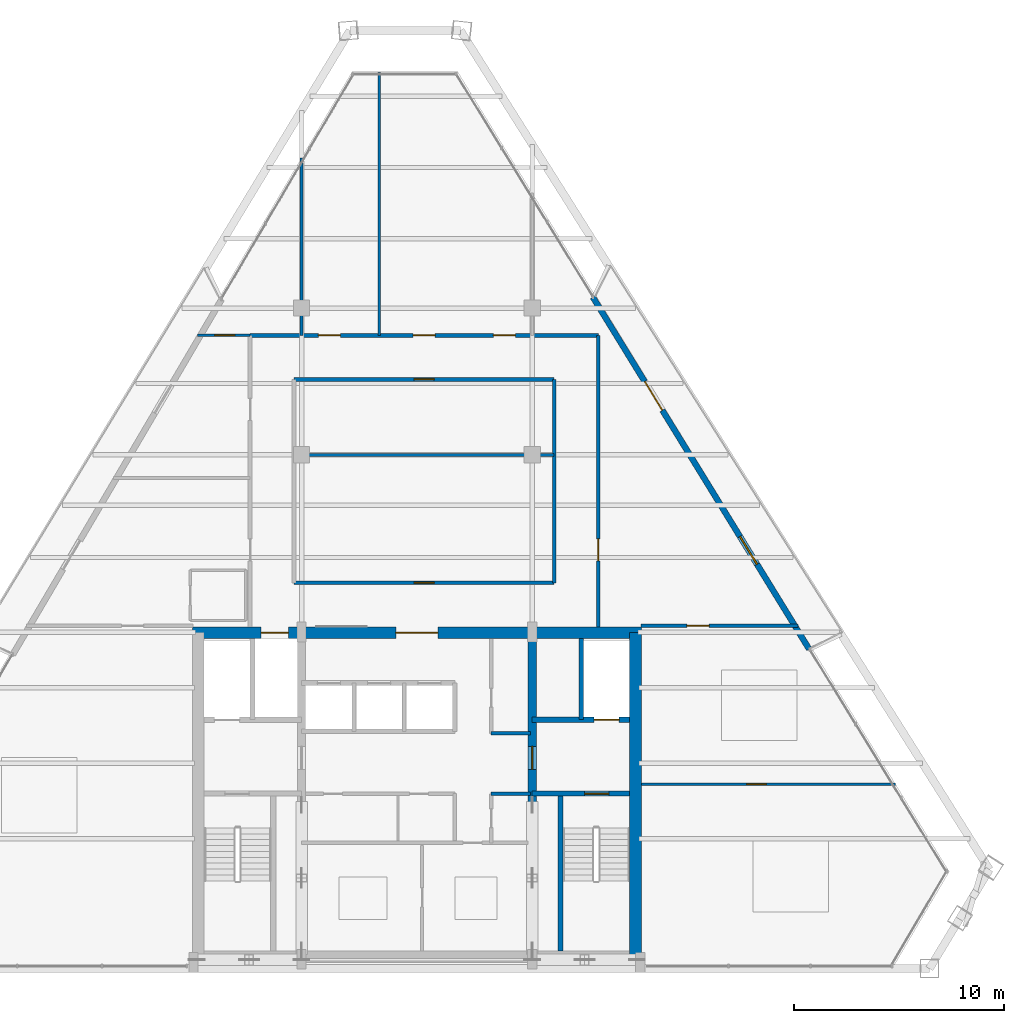
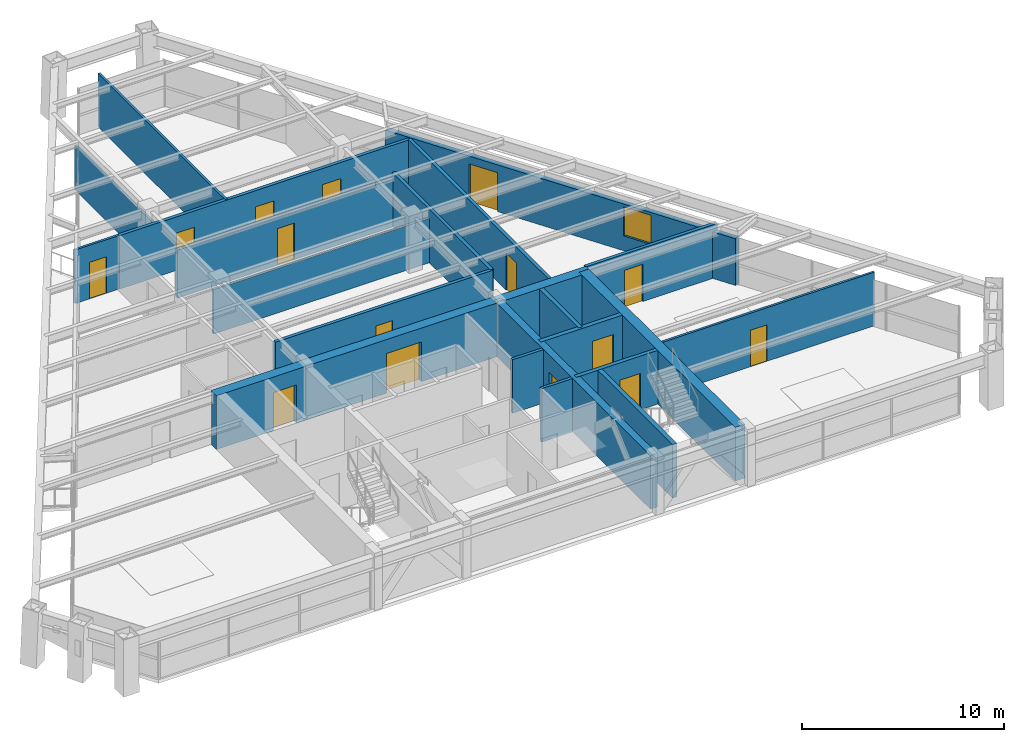
# One storey, part 10 of 13: 21 walls, 15 doors, 1 window, 16 openings.
"""IFC4 building model written with IfcOpenShell, lengths in metres."""

from ifc_helpers import new_model, si_unit, direction, frame, frame_2d, origin, place, context, subcontext, project, spatial, rectangle, extrude, source, transform, mapped, material, layer, layer_set, type_object, type_shapes, element, fill, save


model = new_model("IFC4")

# Units and contexts
model_context = context("Model", 3, precision=1e-05, world=origin(), true_north=direction((0.0, 1.0)))
body_context = subcontext(model_context, "Body", "Model", "MODEL_VIEW")
ifc_project = project(units=[si_unit("LENGTHUNIT", "METRE"), si_unit("AREAUNIT", "SQUARE_METRE"), si_unit("VOLUMEUNIT", "CUBIC_METRE"), si_unit("PLANEANGLEUNIT", "RADIAN"), si_unit("MASSUNIT", "GRAM", prefix="KILO")], contexts=[model_context])

# Site, building, storey
site_placement = place(None, origin())
site = spatial("IfcSite", under=ifc_project, at=site_placement, CompositionType="ELEMENT")
building_placement = place(site_placement, origin())
building = spatial("IfcBuilding", under=site, at=building_placement, Name="Varnakhor Terracotta Tower", CompositionType="ELEMENT")
storey_placement = place(building_placement, frame((0.0, 0.0, 244.14990234375)))
storey = spatial("IfcBuildingStorey", under=building, at=storey_placement, Name="L63", CompositionType="ELEMENT", Elevation=244.14990234375)

# Wall, openings, doors
ifc_material_1 = material(Name="Concrete C50/60", Category="concrete")
ifc_layer_1 = layer(ifc_material_1, 0.550048828125, Name="Concrete C50/60")
ifc_layer_set_1 = layer_set([ifc_layer_1], Name="Concrete C50/60")
wall_type_1 = type_object("IfcWallType", Name="WAL-CORE-550", PredefinedType="SHEAR", material=ifc_layer_set_1)
wall_1_placement = place(storey_placement, frame((-10.699951171875, 16.02490234375, 0.0), z_axis=(0.0, 0.0, 1.0), x_axis=(1.0, 0.0, 0.0)))
wall_1 = element("IfcWall", 1, at=wall_1_placement, inside=storey, type_object=wall_type_1, Name="L63 North Core Shear Wall", PredefinedType="SHEAR", context=body_context, shape_type="SweptSolid", body=[
    extrude(rectangle(XDim=21.39990234375, YDim=0.550048828125, at=frame_2d((10.699951171875, 0.0))), origin(), (0.0, 0.0, 1.0), 3.239990234375),
])
opening_1_placement = place(wall_1_placement, frame((3.27001953125, 0.0, 0.0)))
opening_1 = element("IfcOpeningElement", 2, at=opening_1_placement, cuts=wall_1, Name="Opening LD-03", PredefinedType="OPENING", context=body_context, shape_type="SweptSolid", body=[
    extrude(rectangle(XDim=1.300048828125, YDim=2.300048828125, at=frame_2d((0.64990234375, 1.14990234375))), frame((0.0, 0.28515625, 0.0), z_axis=(0.0, -1.0, 0.0), x_axis=(1.0, 0.0, 0.0)), (0.0, 0.0, 1.0), 0.570068359375),
])
opening_2_placement = place(wall_1_placement, frame((9.699951171875, 0.0, 0.0)))
opening_2 = element("IfcOpeningElement", 3, at=opening_2_placement, cuts=wall_1, Name="Opening DR-32", PredefinedType="OPENING", context=body_context, shape_type="SweptSolid", body=[
    extrude(rectangle(XDim=2.0, YDim=2.39990234375, at=frame_2d((1.0, 1.199951171875))), frame((0.0, 0.28515625, 0.0), z_axis=(0.0, -1.0, 0.0), x_axis=(1.0, 0.0, 0.0)), (0.0, 0.0, 1.0), 0.570068359375),
])
ifc_material_2 = material(Name="Heavy-Duty Goods Sliding Lift Landing Door", Category="steel")
door_type_1 = type_object("IfcDoorType", Name="LD-SRV-1300X2300", OperationType="NOTDEFINED", PredefinedType="DOOR", material=ifc_material_2)
shared_shape_1 = source(origin(), body_context, "Body", "SweptSolid", [
    extrude(rectangle(XDim=1.300048828125, YDim=2.300048828125, at=frame_2d((0.64990234375, 1.14990234375))), frame((0.0, 0.02490234375, 0.0), z_axis=(0.0, -1.0, 0.0), x_axis=(1.0, 0.0, 0.0)), (0.0, 0.0, 1.0), 0.050048828125),
])
type_shapes(door_type_1, [shared_shape_1])
door_1_placement = place(opening_1_placement, origin())
door_1 = element("IfcDoor", 4, at=door_1_placement, inside=storey, type_object=door_type_1, Name="L63 Service Lift SVL-1 Landing Door", OperationType="SLIDING_TO_RIGHT", OverallHeight=2.300048828125, OverallWidth=1.300048828125, PredefinedType="DOOR", context=body_context, shape_type="MappedRepresentation", body=[
    mapped(shared_shape_1, transform((0.0, 0.0, 0.0), scale=1.0)),
])
fill(opening_1, door_1)
ifc_material_3 = material(Name="Acoustic Double Assembly Fire Door", Category="wood")
door_type_2 = type_object("IfcDoorType", Name="DR-HALL-2000X2400", OperationType="NOTDEFINED", PredefinedType="DOOR", material=ifc_material_3)
shared_shape_2 = source(origin(), body_context, "Body", "SweptSolid", [
    extrude(rectangle(XDim=2.0, YDim=2.39990234375, at=frame_2d((1.0, 1.199951171875))), frame((0.0, 0.02490234375, 0.0), z_axis=(0.0, -1.0, 0.0), x_axis=(1.0, 0.0, 0.0)), (0.0, 0.0, 1.0), 0.050048828125),
])
type_shapes(door_type_2, [shared_shape_2])
door_2_placement = place(opening_2_placement, origin())
door_2 = element("IfcDoor", 5, at=door_2_placement, inside=storey, type_object=door_type_2, Name="L63 Core Main Lobby Double Door", OperationType="DOUBLE_DOOR_SINGLE_SWING", OverallHeight=2.39990234375, OverallWidth=2.0, PredefinedType="DOOR", context=body_context, shape_type="MappedRepresentation", body=[
    mapped(shared_shape_2, transform((0.0, 0.0, 0.0), scale=1.0)),
])
fill(opening_2, door_2)

# Wall
wall_2_placement = place(storey_placement, frame((10.425048828125, 0.574951171875, 0.0), z_axis=(0.0, 0.0, 1.0), x_axis=(0.0, 1.0, 0.0)))
element("IfcWall", 6, at=wall_2_placement, inside=storey, type_object=wall_type_1, Name="L63 East Core Shear Wall", PredefinedType="SHEAR", context=body_context, shape_type="SweptSolid", body=[
    extrude(rectangle(XDim=15.449951171875, YDim=0.550048828125, at=frame_2d((7.72509765625, 0.0))), origin(), (0.0, 0.0, 1.0), 3.239990234375),
])

# Wall, opening, door
ifc_layer_2 = layer(ifc_material_1, 0.39990234375, Name="Concrete C50/60")
ifc_layer_set_2 = layer_set([ifc_layer_2], Name="Concrete C50/60")
wall_type_2 = type_object("IfcWallType", Name="WAL-CORE-WEB-400", PredefinedType="SHEAR", material=ifc_layer_set_2)
wall_3_placement = place(storey_placement, frame((5.5, 0.574951171875, 0.0), z_axis=(0.0, 0.0, 1.0), x_axis=(0.0, 1.0, 0.0)))
wall_3 = element("IfcWall", 7, at=wall_3_placement, inside=storey, type_object=wall_type_2, Name="L63 East Core Web Shear Wall", PredefinedType="SHEAR", context=body_context, shape_type="SweptSolid", body=[
    extrude(rectangle(XDim=15.449951171875, YDim=0.39990234375, at=frame_2d((7.72509765625, 0.0))), origin(), (0.0, 0.0, 1.0), 3.239990234375),
])
opening_3_placement = place(wall_3_placement, frame((8.925048828125, 0.0, 0.0)))
opening_3 = element("IfcOpeningElement", 8, at=opening_3_placement, cuts=wall_3, Name="Opening DR-25", PredefinedType="OPENING", context=body_context, shape_type="SweptSolid", body=[
    extrude(rectangle(XDim=1.10009765625, YDim=2.199951171875, at=frame_2d((0.550048828125, 1.10009765625))), frame((0.0, 0.2099609375, 0.0), z_axis=(0.0, -1.0, 0.0), x_axis=(1.0, 0.0, 0.0)), (0.0, 0.0, 1.0), 0.419921875),
])
ifc_material_4 = material(Name="Firefighting Lobby Self-Closing Fire Door", Category="steel")
door_type_3 = type_object("IfcDoorType", Name="DR-FFL-1100X2200", OperationType="NOTDEFINED", PredefinedType="DOOR", material=ifc_material_4)
shared_shape_3 = source(origin(), body_context, "Body", "SweptSolid", [
    extrude(rectangle(XDim=1.10009765625, YDim=2.199951171875, at=frame_2d((0.550048828125, 1.10009765625))), frame((0.0, 0.02490234375, 0.0), z_axis=(0.0, -1.0, 0.0), x_axis=(1.0, 0.0, 0.0)), (0.0, 0.0, 1.0), 0.050048828125),
])
type_shapes(door_type_3, [shared_shape_3])
door_3_placement = place(opening_3_placement, origin())
door_3 = element("IfcDoor", 9, at=door_3_placement, inside=storey, type_object=door_type_3, Name="L63 East Firefighting Lobby Door", OperationType="SINGLE_SWING_LEFT", OverallHeight=2.199951171875, OverallWidth=1.10009765625, PredefinedType="DOOR", context=body_context, shape_type="MappedRepresentation", body=[
    mapped(shared_shape_3, transform((0.0, 0.0, 0.0), scale=1.0)),
])
fill(opening_3, door_3)

ifc_material_5 = material(Name="Fire-Rated Gypsum Stud Partition", Category="gypsum")
ifc_layer_3 = layer(ifc_material_5, 0.18505859375, Name="Fire-Rated Gypsum Stud Partition")
ifc_layer_set_3 = layer_set([ifc_layer_3], Name="Fire-Rated Gypsum Stud Partition")
wall_type_3 = type_object("IfcWallType", Name="WAL-CORR-185", PredefinedType="PARTITIONING", material=ifc_layer_set_3)
wall_4_placement = place(storey_placement, frame((-5.85009765625, 18.39990234375, 0.0), z_axis=(0.0, 0.0, 1.0), x_axis=(1.0, 0.0, 0.0)))
wall_4 = element("IfcWall", 10, at=wall_4_placement, inside=storey, type_object=wall_type_3, Name="L63 Ring Inner South Wall", PredefinedType="PARTITIONING", context=body_context, shape_type="SweptSolid", body=[
    extrude(rectangle(XDim=12.400146484375, YDim=0.18505859375, at=frame_2d((6.2001953125, 0.0))), origin(), (0.0, 0.0, 1.0), 3.232177734375),
])
opening_4_placement = place(wall_4_placement, frame((5.72509765625, 0.0, 0.0)))
opening_4 = element("IfcOpeningElement", 11, at=opening_4_placement, cuts=wall_4, Name="Opening DR-94", PredefinedType="OPENING", context=body_context, shape_type="SweptSolid", body=[
    extrude(rectangle(XDim=0.949951171875, YDim=2.199951171875, at=frame_2d((0.47509765625, 1.10009765625))), frame((0.0, 0.1025390625, 0.0), z_axis=(0.0, -1.0, 0.0), x_axis=(1.0, 0.0, 0.0)), (0.0, 0.0, 1.0), 0.205078125),
])
ifc_material_6 = material(Name="Acoustic Glazed-Vision Timber Office Door", Category="wood")
door_type_4 = type_object("IfcDoorType", Name="DR-OFF-950X2200", OperationType="NOTDEFINED", PredefinedType="DOOR", material=ifc_material_6)
shared_shape_4 = source(origin(), body_context, "Body", "SweptSolid", [
    extrude(rectangle(XDim=0.949951171875, YDim=2.199951171875, at=frame_2d((0.47509765625, 1.10009765625))), frame((0.0, 0.02490234375, 0.0), z_axis=(0.0, -1.0, 0.0), x_axis=(1.0, 0.0, 0.0)), (0.0, 0.0, 1.0), 0.050048828125),
])
type_shapes(door_type_4, [shared_shape_4])
door_4_placement = place(opening_4_placement, origin())
door_4 = element("IfcDoor", 12, at=door_4_placement, inside=storey, type_object=door_type_4, Name="L63 Housekeeping Station Door", OperationType="SINGLE_SWING_RIGHT", OverallHeight=2.199951171875, OverallWidth=0.949951171875, PredefinedType="DOOR", context=body_context, shape_type="MappedRepresentation", body=[
    mapped(shared_shape_4, transform((0.0, 0.0, 0.0), scale=1.0)),
])
fill(opening_4, door_4)

wall_5_placement = place(storey_placement, frame((-5.85009765625, 28.10009765625, 0.0), z_axis=(0.0, 0.0, 1.0), x_axis=(1.0, 0.0, 0.0)))
wall_5 = element("IfcWall", 13, at=wall_5_placement, inside=storey, type_object=wall_type_3, Name="L63 Ring Inner North Wall", PredefinedType="PARTITIONING", context=body_context, shape_type="SweptSolid", body=[
    extrude(rectangle(XDim=12.400146484375, YDim=0.18505859375, at=frame_2d((6.2001953125, 0.0))), origin(), (0.0, 0.0, 1.0), 2.885009765625),
])
opening_5_placement = place(wall_5_placement, frame((5.72509765625, 0.0, 0.0)))
opening_5 = element("IfcOpeningElement", 14, at=opening_5_placement, cuts=wall_5, Name="Opening DR-94", PredefinedType="OPENING", context=body_context, shape_type="SweptSolid", body=[
    extrude(rectangle(XDim=0.949951171875, YDim=2.199951171875, at=frame_2d((0.47509765625, 1.10009765625))), frame((0.0, 0.1025390625, 0.0), z_axis=(0.0, -1.0, 0.0), x_axis=(1.0, 0.0, 0.0)), (0.0, 0.0, 1.0), 0.205078125),
])
door_5_placement = place(opening_5_placement, origin())
door_5 = element("IfcDoor", 15, at=door_5_placement, inside=storey, type_object=door_type_4, Name="L63 Inner Service Door", OperationType="SINGLE_SWING_LEFT", OverallHeight=2.199951171875, OverallWidth=0.949951171875, PredefinedType="DOOR", context=body_context, shape_type="MappedRepresentation", body=[
    mapped(shared_shape_4, transform((0.0, 0.0, 0.0), scale=1.0)),
])
fill(opening_5, door_5)

# Wall
wall_6_placement = place(storey_placement, frame((6.550048828125, 18.39990234375, 0.0), z_axis=(0.0, 0.0, 1.0), x_axis=(0.0, 1.0, 0.0)))
element("IfcWall", 16, at=wall_6_placement, inside=storey, type_object=wall_type_3, Name="L63 Ring Inner East Wall", PredefinedType="PARTITIONING", context=body_context, shape_type="SweptSolid", body=[
    extrude(rectangle(XDim=9.7001953125, YDim=0.18505859375, at=frame_2d((4.85009765625, 0.0))), origin(), (0.0, 0.0, 1.0), 3.232177734375),
])

# Wall, opening, door
wall_7_placement = place(storey_placement, frame((8.64990234375, 16.300048828125, 0.0), z_axis=(0.0, 0.0, 1.0), x_axis=(0.0, 1.0, 0.0)))
wall_7 = element("IfcWall", 17, at=wall_7_placement, inside=storey, type_object=wall_type_3, Name="L63 Hotel East Corridor Wall", PredefinedType="PARTITIONING", context=body_context, shape_type="SweptSolid", body=[
    extrude(rectangle(XDim=13.89990234375, YDim=0.18505859375, at=frame_2d((6.949951171875, 0.0))), origin(), (0.0, 0.0, 1.0), 3.232177734375),
])
opening_6_placement = place(wall_7_placement, frame((3.143798828125, 0.0, 0.0)))
opening_6 = element("IfcOpeningElement", 18, at=opening_6_placement, cuts=wall_7, Name="Opening DR-95", PredefinedType="OPENING", context=body_context, shape_type="SweptSolid", body=[
    extrude(rectangle(XDim=1.050048828125, YDim=2.25, at=frame_2d((0.52490234375, 1.125))), frame((0.0, 0.1025390625, 0.0), z_axis=(0.0, -1.0, 0.0), x_axis=(1.0, 0.0, 0.0)), (0.0, 0.0, 1.0), 0.205078125),
])
ifc_material_7 = material(Name="Solid-Core Timber Tenant/Hotel Entrance Door", Category="wood")
door_type_5 = type_object("IfcDoorType", Name="DR-SUITE-1050X2250", OperationType="NOTDEFINED", PredefinedType="DOOR", material=ifc_material_7)
shared_shape_5 = source(origin(), body_context, "Body", "SweptSolid", [
    extrude(rectangle(XDim=1.050048828125, YDim=2.25, at=frame_2d((0.52490234375, 1.125))), frame((0.0, 0.02490234375, 0.0), z_axis=(0.0, -1.0, 0.0), x_axis=(1.0, 0.0, 0.0)), (0.0, 0.0, 1.0), 0.050048828125),
])
type_shapes(door_type_5, [shared_shape_5])
door_6_placement = place(opening_6_placement, origin())
door_6 = element("IfcDoor", 19, at=door_6_placement, inside=storey, type_object=door_type_5, Name="L63 East Room 1 Entry Door", OperationType="SINGLE_SWING_RIGHT", OverallHeight=2.25, OverallWidth=1.050048828125, PredefinedType="DOOR", context=body_context, shape_type="MappedRepresentation", body=[
    mapped(shared_shape_5, transform((0.0, 0.0, 0.0), scale=1.0)),
])
fill(opening_6, door_6)

# Wall, openings, doors
wall_8_placement = place(storey_placement, frame((-7.949951171875, 30.199951171875, 0.0), z_axis=(0.0, 0.0, 1.0), x_axis=(1.0, 0.0, 0.0)))
wall_8 = element("IfcWall", 20, at=wall_8_placement, inside=storey, type_object=wall_type_3, Name="L63 Hotel North Corridor Wall", PredefinedType="PARTITIONING", context=body_context, shape_type="SweptSolid", body=[
    extrude(rectangle(XDim=16.599853515625, YDim=0.18505859375, at=frame_2d((8.2998046875, 0.0))), origin(), (0.0, 0.0, 1.0), 3.232177734375),
])
opening_7_placement = place(wall_8_placement, frame((3.25, 0.0, 0.0)))
opening_7 = element("IfcOpeningElement", 21, at=opening_7_placement, cuts=wall_8, Name="Opening DR-95", PredefinedType="OPENING", context=body_context, shape_type="SweptSolid", body=[
    extrude(rectangle(XDim=1.050048828125, YDim=2.25, at=frame_2d((0.52490234375, 1.125))), frame((0.0, 0.1025390625, 0.0), z_axis=(0.0, -1.0, 0.0), x_axis=(1.0, 0.0, 0.0)), (0.0, 0.0, 1.0), 0.205078125),
])
opening_8_placement = place(wall_8_placement, frame((7.77490234375, 0.0, 0.0)))
opening_8 = element("IfcOpeningElement", 22, at=opening_8_placement, cuts=wall_8, Name="Opening DR-95", PredefinedType="OPENING", context=body_context, shape_type="SweptSolid", body=[
    extrude(rectangle(XDim=1.050048828125, YDim=2.25, at=frame_2d((0.52490234375, 1.125))), frame((0.0, 0.1025390625, 0.0), z_axis=(0.0, -1.0, 0.0), x_axis=(1.0, 0.0, 0.0)), (0.0, 0.0, 1.0), 0.205078125),
])
opening_9_placement = place(wall_8_placement, frame((11.60009765625, 0.0, 0.0)))
opening_9 = element("IfcOpeningElement", 23, at=opening_9_placement, cuts=wall_8, Name="Opening DR-95", PredefinedType="OPENING", context=body_context, shape_type="SweptSolid", body=[
    extrude(rectangle(XDim=1.050048828125, YDim=2.25, at=frame_2d((0.52490234375, 1.125))), frame((0.0, 0.1025390625, 0.0), z_axis=(0.0, -1.0, 0.0), x_axis=(1.0, 0.0, 0.0)), (0.0, 0.0, 1.0), 0.205078125),
])
door_7_placement = place(opening_7_placement, origin())
door_7 = element("IfcDoor", 24, at=door_7_placement, inside=storey, type_object=door_type_5, Name="L63 North Suite 1 Entry Door", OperationType="SINGLE_SWING_LEFT", OverallHeight=2.25, OverallWidth=1.050048828125, PredefinedType="DOOR", context=body_context, shape_type="MappedRepresentation", body=[
    mapped(shared_shape_5, transform((0.0, 0.0, 0.0), scale=1.0)),
])
fill(opening_7, door_7)
door_8_placement = place(opening_8_placement, origin())
door_8 = element("IfcDoor", 25, at=door_8_placement, inside=storey, type_object=door_type_5, Name="L63 North Suite 2 Entry Door", OperationType="SINGLE_SWING_RIGHT", OverallHeight=2.25, OverallWidth=1.050048828125, PredefinedType="DOOR", context=body_context, shape_type="MappedRepresentation", body=[
    mapped(shared_shape_5, transform((0.0, 0.0, 0.0), scale=1.0)),
])
fill(opening_8, door_8)
door_9_placement = place(opening_9_placement, origin())
door_9 = element("IfcDoor", 26, at=door_9_placement, inside=storey, type_object=door_type_5, Name="L63 North Suite 3 Entry Door", OperationType="SINGLE_SWING_LEFT", OverallHeight=2.25, OverallWidth=1.050048828125, PredefinedType="DOOR", context=body_context, shape_type="MappedRepresentation", body=[
    mapped(shared_shape_5, transform((0.0, 0.0, 0.0), scale=1.0)),
])
fill(opening_9, door_9)

# Wall, opening, door
wall_9_placement = place(storey_placement, frame((10.679931640625, 16.35009765625, 0.0), z_axis=(0.0, 0.0, 1.0), x_axis=(1.0, 0.0, 0.0)))
wall_9 = element("IfcWall", 27, at=wall_9_placement, inside=storey, type_object=wall_type_3, Name="L63 South East Guest Entry Wall", PredefinedType="PARTITIONING", context=body_context, shape_type="SweptSolid", body=[
    extrude(rectangle(XDim=7.49462890625, YDim=0.18505859375, at=frame_2d((3.747314453125, 0.0))), origin(), (0.0, 0.0, 1.0), 3.232177734375),
])
opening_10_placement = place(wall_9_placement, frame((2.2001953125, 0.0, 0.0)))
opening_10 = element("IfcOpeningElement", 28, at=opening_10_placement, cuts=wall_9, Name="Opening DR-95", PredefinedType="OPENING", context=body_context, shape_type="SweptSolid", body=[
    extrude(rectangle(XDim=1.050048828125, YDim=2.25, at=frame_2d((0.52490234375, 1.125))), frame((0.0, 0.1025390625, 0.0), z_axis=(0.0, -1.0, 0.0), x_axis=(1.0, 0.0, 0.0)), (0.0, 0.0, 1.0), 0.205078125),
])
door_10_placement = place(opening_10_placement, origin())
door_10 = element("IfcDoor", 29, at=door_10_placement, inside=storey, type_object=door_type_5, Name="L63 SE Suite Entry Door", OperationType="SINGLE_SWING_LEFT", OverallHeight=2.25, OverallWidth=1.050048828125, PredefinedType="DOOR", context=body_context, shape_type="MappedRepresentation", body=[
    mapped(shared_shape_5, transform((0.0, 0.0, 0.0), scale=1.0)),
])
fill(opening_10, door_10)

# Wall, openings, door, window
ifc_material_8 = material(Name="Extruded Architectural Terracotta Assembly", Category="masonry")
ifc_layer_4 = layer(ifc_material_8, 0.280029296875, Name="Extruded Architectural Terracotta Assembly")
ifc_layer_set_4 = layer_set([ifc_layer_4], Name="Extruded Architectural Terracotta Assembly")
wall_type_4 = type_object("IfcWallType", Name="WAL-EXT-TERRACOTTA-280", PredefinedType="SOLIDWALL", material=ifc_layer_set_4)
wall_10_placement = place(storey_placement, frame((8.394287109375, 32.01708984375, 0.0), z_axis=(0.0, 0.0, 1.0), x_axis=(0.523559364354, -0.851989197113, 0.0)))
wall_10 = element("IfcWall", 30, at=wall_10_placement, inside=storey, type_object=wall_type_4, Name="L63 E Loggia Insulated Terracotta Wall", PredefinedType="SOLIDWALL", context=body_context, shape_type="SweptSolid", body=[
    extrude(rectangle(XDim=19.69970703125, YDim=0.280029296875, at=frame_2d((9.849853515625, 0.0))), origin(), (0.0, 0.0, 1.0), 2.820068359375),
])
opening_11_placement = place(wall_10_placement, frame((4.727783203125, 0.0, 0.0)))
opening_11 = element("IfcOpeningElement", 31, at=opening_11_placement, cuts=wall_10, Name="Opening DR-62", PredefinedType="OPENING", context=body_context, shape_type="SweptSolid", body=[
    extrude(rectangle(XDim=1.60009765625, YDim=2.35009765625, at=frame_2d((0.800048828125, 1.175048828125))), frame((0.0, 0.14990234375, 0.0), z_axis=(0.0, -1.0, 0.0), x_axis=(1.0, 0.0, 0.0)), (0.0, 0.0, 1.0), 0.300048828125),
])
opening_12_placement = place(wall_10_placement, frame((13.395751953125, 0.0, 0.89990234375)))
opening_12 = element("IfcOpeningElement", 32, at=opening_12_placement, cuts=wall_10, Name="Opening WN-59", PredefinedType="OPENING", context=body_context, shape_type="SweptSolid", body=[
    extrude(rectangle(XDim=1.550048828125, YDim=1.75, at=frame_2d((0.77490234375, 0.875))), frame((0.0, 0.14990234375, 0.0), z_axis=(0.0, -1.0, 0.0), x_axis=(1.0, 0.0, 0.0)), (0.0, 0.0, 1.0), 0.300048828125),
])
ifc_material_9 = material(Name="Thermally Broken Sliding Glass Loggia Door", Category="glass")
door_type_6 = type_object("IfcDoorType", Name="DR-EXT-LOGGIA-1600X2350", OperationType="NOTDEFINED", PredefinedType="DOOR", material=ifc_material_9)
shared_shape_6 = source(origin(), body_context, "Body", "SweptSolid", [
    extrude(rectangle(XDim=1.60009765625, YDim=2.35009765625, at=frame_2d((0.800048828125, 1.175048828125))), frame((0.0, 0.02490234375, 0.0), z_axis=(0.0, -1.0, 0.0), x_axis=(1.0, 0.0, 0.0)), (0.0, 0.0, 1.0), 0.050048828125),
])
type_shapes(door_type_6, [shared_shape_6])
door_11_placement = place(opening_11_placement, origin())
door_11 = element("IfcDoor", 33, at=door_11_placement, inside=storey, type_object=door_type_6, Name="L63 E Recessed Loggia Sliding Door", OperationType="SLIDING_TO_RIGHT", OverallHeight=2.35009765625, OverallWidth=1.60009765625, PredefinedType="DOOR", context=body_context, shape_type="MappedRepresentation", body=[
    mapped(shared_shape_6, transform((0.0, 0.0, 0.0), scale=1.0)),
])
fill(opening_11, door_11)
ifc_material_10 = material(Name="Solar-Control Low-E Insulated Glass Unit", Category="glass")
window_type = type_object("IfcWindowType", Name="WIN-HTL-1500X1950", PartitioningType="SINGLE_PANEL", PredefinedType="WINDOW", material=ifc_material_10)
shared_shape_7 = source(origin(), body_context, "Body", "SweptSolid", [
    extrude(rectangle(XDim=1.550048828125, YDim=1.75, at=frame_2d((0.77490234375, 0.875))), frame((0.0, 0.030029296875, 0.0), z_axis=(0.0, -1.0, 0.0), x_axis=(1.0, 0.0, 0.0)), (0.0, 0.0, 1.0), 0.06005859375),
])
type_shapes(window_type, [shared_shape_7])
window_placement = place(opening_12_placement, origin())
window = element("IfcWindow", 34, at=window_placement, inside=storey, type_object=window_type, Name="L63 E Facet Punched Window", OverallHeight=1.75, OverallWidth=1.550048828125, PartitioningType="SINGLE_PANEL", PredefinedType="WINDOW", context=body_context, shape_type="MappedRepresentation", body=[
    mapped(shared_shape_7, transform((0.0, 0.0, 0.0), scale=1.0)),
])
fill(opening_12, window)

# Wall, opening, door
ifc_material_11 = material(Name="Concrete C40/50", Category="concrete")
ifc_layer_5 = layer(ifc_material_11, 0.219970703125, Name="Concrete C40/50")
ifc_layer_set_5 = layer_set([ifc_layer_5], Name="Concrete C40/50")
wall_type_5 = type_object("IfcWallType", Name="WAL-FFLOBBY-220", PredefinedType="SOLIDWALL", material=ifc_layer_set_5)
wall_11_placement = place(storey_placement, frame((10.14990234375, 8.35009765625, 0.0), z_axis=(0.0, 0.0, 1.0), x_axis=(-1.0, 0.0, 0.0)))
wall_11 = element("IfcWall", 35, at=wall_11_placement, inside=storey, type_object=wall_type_5, Name="L63 East Firefighting Lobby Stair Wall", PredefinedType="SOLIDWALL", context=body_context, shape_type="SweptSolid", body=[
    extrude(rectangle(XDim=4.64990234375, YDim=0.219970703125, at=frame_2d((2.324951171875, 0.0))), origin(), (0.0, 0.0, 1.0), 3.239990234375),
])
opening_13_placement = place(wall_11_placement, frame((1.0, 0.0, 0.0)))
opening_13 = element("IfcOpeningElement", 36, at=opening_13_placement, cuts=wall_11, Name="Opening DR-34", PredefinedType="OPENING", context=body_context, shape_type="SweptSolid", body=[
    extrude(rectangle(XDim=1.14990234375, YDim=2.199951171875, at=frame_2d((0.574951171875, 1.10009765625))), frame((0.0, 0.1201171875, 0.0), z_axis=(0.0, -1.0, 0.0), x_axis=(1.0, 0.0, 0.0)), (0.0, 0.0, 1.0), 0.239990234375),
])
ifc_material_12 = material(Name="Self-Closing Smoke-Sealed Steel Fire Door", Category="steel")
door_type_7 = type_object("IfcDoorType", Name="DR-STAIR-1150X2200", OperationType="NOTDEFINED", PredefinedType="DOOR", material=ifc_material_12)
shared_shape_8 = source(origin(), body_context, "Body", "SweptSolid", [
    extrude(rectangle(XDim=1.14990234375, YDim=2.199951171875, at=frame_2d((0.574951171875, 1.10009765625))), frame((0.0, 0.02490234375, 0.0), z_axis=(0.0, -1.0, 0.0), x_axis=(1.0, 0.0, 0.0)), (0.0, 0.0, 1.0), 0.050048828125),
])
type_shapes(door_type_7, [shared_shape_8])
door_12_placement = place(opening_13_placement, origin())
door_12 = element("IfcDoor", 37, at=door_12_placement, inside=storey, type_object=door_type_7, Name="L63 Exit Stair ST-2 Fire Door", OperationType="SINGLE_SWING_RIGHT", OverallHeight=2.199951171875, OverallWidth=1.14990234375, PredefinedType="DOOR", context=body_context, shape_type="MappedRepresentation", body=[
    mapped(shared_shape_8, transform((0.0, 0.0, 0.0), scale=1.0)),
])
fill(opening_13, door_12)

ifc_material_13 = material(Name="Acoustic Hotel Room Partition", Category="gypsum")
ifc_layer_6 = layer(ifc_material_13, 0.1298828125, Name="Acoustic Hotel Room Partition")
ifc_layer_set_6 = layer_set([ifc_layer_6], Name="Acoustic Hotel Room Partition")
wall_type_6 = type_object("IfcWallType", Name="WAL-PART-130", PredefinedType="PARTITIONING", material=ifc_layer_set_6)
wall_12_placement = place(storey_placement, frame((-10.468994140625, 30.199951171875, 0.0), z_axis=(0.0, 0.0, 1.0), x_axis=(1.0, 0.0, 0.0)))
wall_12 = element("IfcWall", 38, at=wall_12_placement, inside=storey, type_object=wall_type_6, Name="L63 North West Suite South Wall", PredefinedType="PARTITIONING", context=body_context, shape_type="SweptSolid", body=[
    extrude(rectangle(XDim=2.51904296875, YDim=0.1298828125, at=frame_2d((1.259521484375, 0.0))), origin(), (0.0, 0.0, 1.0), 3.232177734375),
])
opening_14_placement = place(wall_12_placement, frame((0.83984375, 0.0, 0.0)))
opening_14 = element("IfcOpeningElement", 39, at=opening_14_placement, cuts=wall_12, Name="Opening DR-94", PredefinedType="OPENING", context=body_context, shape_type="SweptSolid", body=[
    extrude(rectangle(XDim=0.949951171875, YDim=2.199951171875, at=frame_2d((0.47509765625, 1.10009765625))), frame((0.0, 0.074951171875, 0.0), z_axis=(0.0, -1.0, 0.0), x_axis=(1.0, 0.0, 0.0)), (0.0, 0.0, 1.0), 0.14990234375),
])
door_13_placement = place(opening_14_placement, origin())
door_13 = element("IfcDoor", 40, at=door_13_placement, inside=storey, type_object=door_type_4, Name="L63 Herbal Tea Kitchen NW Door", OperationType="SINGLE_SWING_RIGHT", OverallHeight=2.199951171875, OverallWidth=0.949951171875, PredefinedType="DOOR", context=body_context, shape_type="MappedRepresentation", body=[
    mapped(shared_shape_4, transform((0.0, 0.0, 0.0), scale=1.0)),
])
fill(opening_14, door_13)

# Walls
wall_13_placement = place(storey_placement, frame((-5.5, 30.199951171875, 0.0), z_axis=(0.0, 0.0, 1.0), x_axis=(0.0, 1.0, 0.0)))
element("IfcWall", 41, at=wall_13_placement, inside=storey, type_object=wall_type_6, Name="L63 North West Column Wall", PredefinedType="PARTITIONING", context=body_context, shape_type="SweptSolid", body=[
    extrude(rectangle(XDim=8.452880859375, YDim=0.1298828125, at=frame_2d((4.2265625, 0.0))), origin(), (0.0, 0.0, 1.0), 2.68310546875),
])
wall_14_placement = place(storey_placement, frame((-1.800048828125, 30.199951171875, 0.0), z_axis=(0.0, 0.0, 1.0), x_axis=(0.0, 1.0, 0.0)))
element("IfcWall", 42, at=wall_14_placement, inside=storey, type_object=wall_type_6, Name="L63 North Suite Split 1", PredefinedType="PARTITIONING", context=body_context, shape_type="SweptSolid", body=[
    extrude(rectangle(XDim=12.56103515625, YDim=0.1298828125, at=frame_2d((6.280517578125, 0.0))), origin(), (0.0, 0.0, 1.0), 3.232177734375),
])

# Wall, opening, door
wall_15_placement = place(storey_placement, frame((10.719970703125, 8.800048828125, 0.0), z_axis=(0.0, 0.0, 1.0), x_axis=(1.0, 0.0, 0.0)))
wall_15 = element("IfcWall", 43, at=wall_15_placement, inside=storey, type_object=wall_type_6, Name="L63 SE Key Split 1", PredefinedType="PARTITIONING", context=body_context, shape_type="SweptSolid", body=[
    extrude(rectangle(XDim=12.09423828125, YDim=0.1298828125, at=frame_2d((6.047119140625, 0.0))), origin(), (0.0, 0.0, 1.0), 3.232177734375),
])
opening_15_placement = place(wall_15_placement, frame((5.001220703125, 0.0, 0.0)))
opening_15 = element("IfcOpeningElement", 44, at=opening_15_placement, cuts=wall_15, Name="Opening DR-94", PredefinedType="OPENING", context=body_context, shape_type="SweptSolid", body=[
    extrude(rectangle(XDim=0.949951171875, YDim=2.199951171875, at=frame_2d((0.47509765625, 1.10009765625))), frame((0.0, 0.074951171875, 0.0), z_axis=(0.0, -1.0, 0.0), x_axis=(1.0, 0.0, 0.0)), (0.0, 0.0, 1.0), 0.14990234375),
])
door_14_placement = place(opening_15_placement, origin())
door_14 = element("IfcDoor", 45, at=door_14_placement, inside=storey, type_object=door_type_4, Name="L63 SE Suite Connect Door 1", OperationType="SINGLE_SWING_RIGHT", OverallHeight=2.199951171875, OverallWidth=0.949951171875, PredefinedType="DOOR", context=body_context, shape_type="MappedRepresentation", body=[
    mapped(shared_shape_4, transform((0.0, 0.0, 0.0), scale=1.0)),
])
fill(opening_15, door_14)

# Walls
ifc_material_14 = material(Name="Acoustic Metal-Stud Partition", Category="gypsum")
ifc_layer_7 = layer(ifc_material_14, 0.139892578125, Name="Acoustic Metal-Stud Partition")
ifc_layer_set_7 = layer_set([ifc_layer_7], Name="Acoustic Metal-Stud Partition")
wall_type_7 = type_object("IfcWallType", Name="WAL-PART-140", PredefinedType="PARTITIONING", material=ifc_layer_set_7)
wall_16_placement = place(storey_placement, frame((-5.85009765625, 24.5, 0.0), z_axis=(0.0, 0.0, 1.0), x_axis=(1.0, 0.0, 0.0)))
element("IfcWall", 46, at=wall_16_placement, inside=storey, type_object=wall_type_7, Name="L63 Inner Service Split", PredefinedType="PARTITIONING", context=body_context, shape_type="SweptSolid", body=[
    extrude(rectangle(XDim=12.400146484375, YDim=0.139892578125, at=frame_2d((6.2001953125, 0.0))), origin(), (0.0, 0.0, 1.0), 2.68310546875),
])
ifc_layer_8 = layer(ifc_material_11, 0.219970703125, Name="Concrete C40/50")
ifc_layer_set_8 = layer_set([ifc_layer_8], Name="Concrete C40/50")
wall_type_8 = type_object("IfcWallType", Name="WAL-SHAFT-220", PredefinedType="SOLIDWALL", material=ifc_layer_set_8)
wall_17_placement = place(storey_placement, frame((7.840087890625, 11.8701171875, 0.0), z_axis=(0.0, 0.0, 1.0), x_axis=(0.0, 1.0, 0.0)))
element("IfcWall", 47, at=wall_17_placement, inside=storey, type_object=wall_type_8, Name="L63 Lift FFL-2 and Riser Divider Wall", PredefinedType="SOLIDWALL", context=body_context, shape_type="SweptSolid", body=[
    extrude(rectangle(XDim=3.8798828125, YDim=0.219970703125, at=frame_2d((1.93994140625, 0.0))), origin(), (0.0, 0.0, 1.0), 3.239990234375),
])
ifc_layer_9 = layer(ifc_material_11, 0.25, Name="Concrete C40/50")
ifc_layer_set_9 = layer_set([ifc_layer_9], Name="Concrete C40/50")
wall_type_9 = type_object("IfcWallType", Name="WAL-SHAFT-250", PredefinedType="SOLIDWALL", material=ifc_layer_set_9)
wall_18_placement = place(storey_placement, frame((6.85009765625, 0.85009765625, 0.0), z_axis=(0.0, 0.0, 1.0), x_axis=(0.0, 1.0, 0.0)))
element("IfcWall", 48, at=wall_18_placement, inside=storey, type_object=wall_type_9, Name="L63 Stair ST-2 Bearing Shaft Wall", PredefinedType="SOLIDWALL", context=body_context, shape_type="SweptSolid", body=[
    extrude(rectangle(XDim=7.5, YDim=0.25, at=frame_2d((3.75, 0.0))), origin(), (0.0, 0.0, 1.0), 3.239990234375),
])

# Wall, opening, door
wall_19_placement = place(storey_placement, frame((10.14990234375, 11.8701171875, 0.0), z_axis=(0.0, 0.0, 1.0), x_axis=(-1.0, 0.0, 0.0)))
wall_19 = element("IfcWall", 49, at=wall_19_placement, inside=storey, type_object=wall_type_9, Name="L63 Lift FFL-2 Shaft Front Wall", PredefinedType="SOLIDWALL", context=body_context, shape_type="SweptSolid", body=[
    extrude(rectangle(XDim=4.64990234375, YDim=0.25, at=frame_2d((2.324951171875, 0.0))), origin(), (0.0, 0.0, 1.0), 3.239990234375),
])
opening_16_placement = place(wall_19_placement, frame((0.5, 0.0, 0.0)))
opening_16 = element("IfcOpeningElement", 50, at=opening_16_placement, cuts=wall_19, Name="Opening LD-02", PredefinedType="OPENING", context=body_context, shape_type="SweptSolid", body=[
    extrude(rectangle(XDim=1.199951171875, YDim=2.25, at=frame_2d((0.60009765625, 1.125))), frame((0.0, 0.135009765625, 0.0), z_axis=(0.0, -1.0, 0.0), x_axis=(1.0, 0.0, 0.0)), (0.0, 0.0, 1.0), 0.27001953125),
])
ifc_material_15 = material(Name="Firefighting Stretcher Sliding Lift Landing Door", Category="steel")
door_type_8 = type_object("IfcDoorType", Name="LD-FFL-1200X2250", OperationType="NOTDEFINED", PredefinedType="DOOR", material=ifc_material_15)
shared_shape_9 = source(origin(), body_context, "Body", "SweptSolid", [
    extrude(rectangle(XDim=1.199951171875, YDim=2.25, at=frame_2d((0.60009765625, 1.125))), frame((0.0, 0.02490234375, 0.0), z_axis=(0.0, -1.0, 0.0), x_axis=(1.0, 0.0, 0.0)), (0.0, 0.0, 1.0), 0.050048828125),
])
type_shapes(door_type_8, [shared_shape_9])
door_15_placement = place(opening_16_placement, origin())
door_15 = element("IfcDoor", 51, at=door_15_placement, inside=storey, type_object=door_type_8, Name="L63 Firefighting Lift FFL-2 Landing Door", OperationType="SLIDING_TO_RIGHT", OverallHeight=2.25, OverallWidth=1.199951171875, PredefinedType="DOOR", context=body_context, shape_type="MappedRepresentation", body=[
    mapped(shared_shape_9, transform((0.0, 0.0, 0.0), scale=1.0)),
])
fill(opening_16, door_15)

# Walls
ifc_material_16 = material(Name="Acoustic Fire-Rated Partition", Category="gypsum")
ifc_layer_10 = layer(ifc_material_16, 0.1650390625, Name="Acoustic Fire-Rated Partition")
ifc_layer_set_10 = layer_set([ifc_layer_10], Name="Acoustic Fire-Rated Partition")
wall_type_10 = type_object("IfcWallType", Name="WAL-TENANCY-165", PredefinedType="PARTITIONING", material=ifc_layer_set_10)
for number, where, z_axis, x_axis, name in (
    (52, (3.5400390625, 8.340087890625, 0.0), (0.0, 0.0, 1.0), (1.0, 0.0, 0.0), "L63 Accessible WC North Wall"),
    (53, (3.5400390625, 11.219970703125, 0.0), (0.0, 0.0, 1.0), (1.0, 0.0, 0.0), "L63 Restroom South Wall"),
):
    element("IfcWall", number, at=place(storey_placement, frame(where, z_axis=z_axis, x_axis=x_axis)), inside=storey, type_object=wall_type_10, Name=name, PredefinedType="PARTITIONING", context=body_context, shape_type="SweptSolid", body=[
        extrude(rectangle(XDim=1.8798828125, YDim=0.1650390625, at=frame_2d((0.93994140625, 0.0))), origin(), (0.0, 0.0, 1.0), 3.232177734375),
    ])

save(model, "model.ifc")
